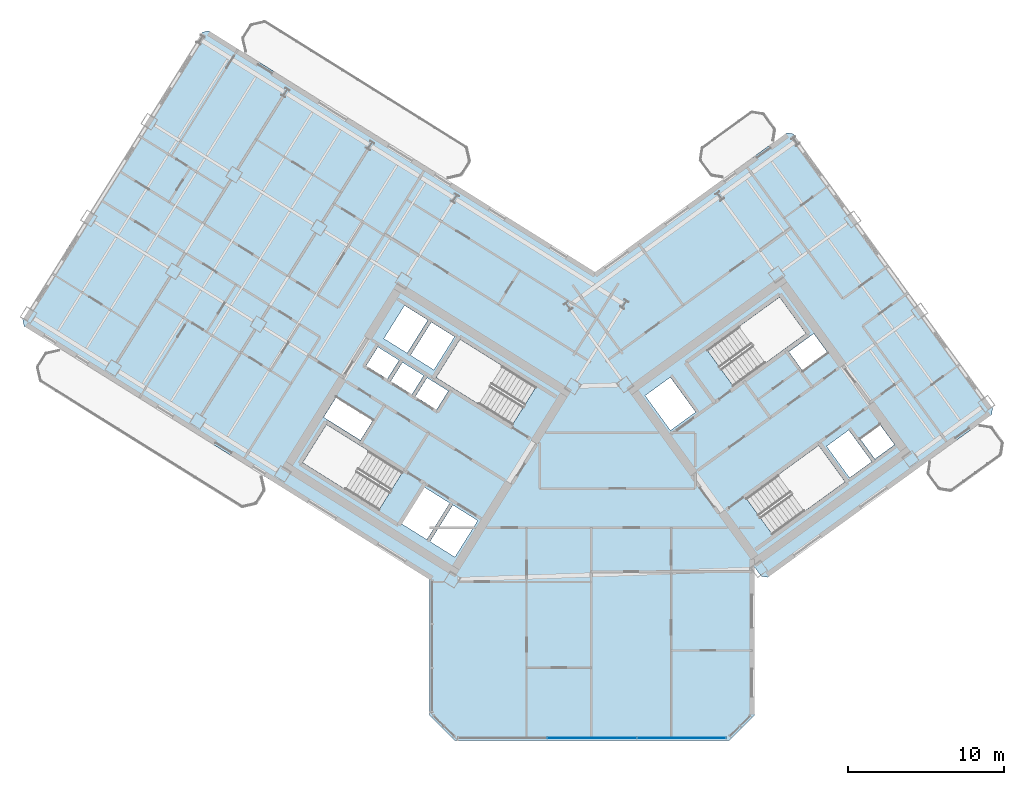
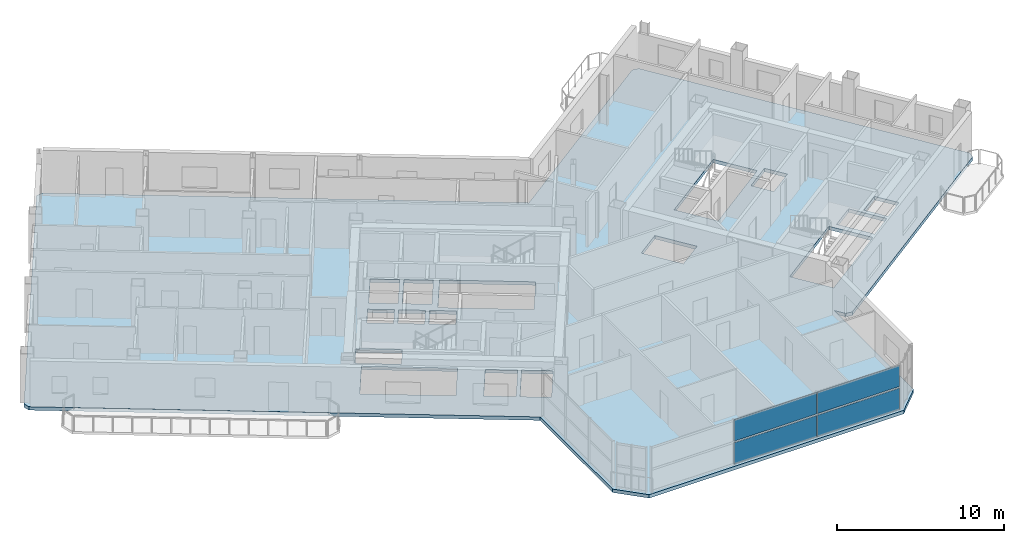
# One storey, part 9 of 20: 4 plates, 1 slab, 1 element without a shape of its own.
"""IFC4 building model written with IfcOpenShell, lengths in metres."""

from ifc_helpers import new_model, si_unit, direction, frame, origin, origin_2d, place, context, subcontext, project, spatial, polyline, rectangle, outline, extrude, source, transform, mapped, material, layer, layer_set, type_object, element, aggregate, save


model = new_model("IFC4")

# Units and contexts
model_context = context("Model", 3, precision=1e-05, world=origin(), true_north=direction((0.0, 1.0)))
body_context = subcontext(model_context, "Body", "Model", "MODEL_VIEW")
ifc_project = project(units=[si_unit("LENGTHUNIT", "METRE"), si_unit("AREAUNIT", "SQUARE_METRE"), si_unit("VOLUMEUNIT", "CUBIC_METRE"), si_unit("PLANEANGLEUNIT", "RADIAN"), si_unit("MASSUNIT", "GRAM", prefix="KILO")], contexts=[model_context])

# Site, building, storey
site_placement = place(None, origin())
site = spatial("IfcSite", under=ifc_project, at=site_placement, CompositionType="ELEMENT")
building_placement = place(site_placement, origin())
building = spatial("IfcBuilding", under=site, at=building_placement, Name="Tlacorven Tower", CompositionType="ELEMENT")
storey_placement = place(building_placement, frame((0.0, 0.0, 187.800048828125)))
storey = spatial("IfcBuildingStorey", under=building, at=storey_placement, Name="L47", CompositionType="ELEMENT", Elevation=187.800048828125)

# Slab
ifc_material_1 = material(Name="Concrete C40/50", Category="concrete")
ifc_layer_1 = layer(ifc_material_1, 0.25)
ifc_layer_set_1 = layer_set([ifc_layer_1], Name="Concrete C40/50")
slab_type = type_object("IfcSlabType", Name="SL-TWR-250", PredefinedType="FLOOR", material=ifc_layer_set_1)
slab_placement = place(storey_placement, frame((0.0, 0.0, -0.25)))
element("IfcSlab", 1, at=slab_placement, inside=storey, type_object=slab_type, Name="L47 Boomerang Tower Floor Slab", PredefinedType="FLOOR", context=body_context, shape_type="SweptSolid", body=[
    extrude(outline(polyline([(52.39990234375, 3.39990234375), (50.800048828125, 1.800048828125), (33.199951171875, 1.800048828125), (31.60009765625, 3.39990234375), (31.60009765625, 12.09423828125), (5.62451171875, 28.32568359375), (5.529052734375, 28.739013671875), (17.0390625, 47.15869140625), (17.452392578125, 47.254150390625), (42.19970703125, 31.790283203125), (54.481689453125, 40.713623046875), (54.90087890625, 40.647216796875), (67.66748046875, 23.075439453125), (67.60107421875, 22.656494140625), (53.265380859375, 12.24072265625), (52.846435546875, 12.30712890625), (52.39990234375, 12.921630859375), (52.39990234375, 3.39990234375)]), holes=[polyline([(29.865478515625, 18.979736328125), (24.9892578125, 22.02685546875), (23.463134765625, 19.58447265625), (28.33935546875, 16.537353515625), (29.865478515625, 18.979736328125)]), polyline([(38.4169921875, 24.4375), (33.540771484375, 27.484375), (32.0146484375, 25.0419921875), (36.890869140625, 21.9951171875), (38.4169921875, 24.4375)]), polyline([(51.05908203125, 24.481689453125), (55.7109375, 27.861572265625), (54.01806640625, 30.19140625), (49.3662109375, 26.811767578125), (51.05908203125, 24.481689453125)]), polyline([(53.56298828125, 14.978759765625), (58.21484375, 18.3583984375), (56.52197265625, 20.6884765625), (51.8701171875, 17.30859375), (53.56298828125, 14.978759765625)]), polyline([(34.682373046875, 15.87548828125), (33.088134765625, 16.871826171875), (31.62548828125, 14.531005859375), (33.2197265625, 13.534912109375), (34.682373046875, 15.87548828125)]), polyline([(32.884521484375, 16.9990234375), (31.2392578125, 18.02685546875), (29.77685546875, 15.686279296875), (31.421875, 14.658203125), (32.884521484375, 16.9990234375)]), polyline([(47.0234375, 21.648681640625), (48.6416015625, 22.82421875), (47.019287109375, 25.05712890625), (45.401123046875, 23.881591796875), (47.0234375, 21.648681640625)]), polyline([(33.197265625, 27.65185546875), (31.704833984375, 28.58447265625), (30.3798828125, 26.46435546875), (31.87255859375, 25.53173828125), (33.197265625, 27.65185546875)]), polyline([(31.484375, 28.722412109375), (29.99169921875, 29.655029296875), (28.6669921875, 27.534912109375), (30.159423828125, 26.602294921875), (31.484375, 28.722412109375)]), polyline([(32.794921875, 24.17724609375), (31.43798828125, 25.025146484375), (30.685546875, 23.82080078125), (32.042236328125, 22.972900390625), (32.794921875, 24.17724609375)]), polyline([(31.217529296875, 25.162841796875), (29.860595703125, 26.0107421875), (29.108154296875, 24.806396484375), (30.465087890625, 23.958740234375), (31.217529296875, 25.162841796875)]), polyline([(29.64013671875, 26.1484375), (28.283203125, 26.996337890625), (27.53076171875, 25.792236328125), (28.8876953125, 24.9443359375), (29.64013671875, 26.1484375)]), polyline([(58.498779296875, 18.614013671875), (59.922607421875, 19.648681640625), (58.453125, 21.671142578125), (57.029296875, 20.63671875), (58.498779296875, 18.614013671875)]), polyline([(27.96142578125, 22.2919921875), (25.603759765625, 23.76513671875), (24.80908203125, 22.4931640625), (27.16650390625, 21.02001953125), (27.96142578125, 22.2919921875)]), polyline([(55.490478515625, 25.4765625), (57.092529296875, 26.640380859375), (56.210693359375, 27.85400390625), (54.60888671875, 26.690185546875), (55.490478515625, 25.4765625)]), polyline([(60.12109375, 19.817626953125), (61.38330078125, 20.734619140625), (60.45458984375, 22.012939453125), (59.192626953125, 21.095947265625), (60.12109375, 19.817626953125)])]), origin(), (0.0, 0.0, 1.0), 0.25),
])

# Curtain wall, plates
ifc_material_2 = material(Name="Dark solar low-E double glazing in aluminium frame", Category="aluminium")
curtain_wall_type = type_object("IfcCurtainWallType", Name="CW-TWR-MID", PredefinedType="USERDEFINED", material=ifc_material_2)
curtain_wall_placement = place(storey_placement, origin())
curtain_wall = element("IfcCurtainWall", 2, at=curtain_wall_placement, inside=storey, type_object=curtain_wall_type, Name="L47 CW-TWR-MID Curtain Wall 217", ObjectType="UNITISED CURTAIN WALL", PredefinedType="USERDEFINED")
ifc_material_3 = material(Name="High-wind dark solar tempered low-E glazing", Category="glass")
ifc_layer_2 = layer(ifc_material_3, 0.028076171875)
ifc_layer_set_2 = layer_set([ifc_layer_2], Name="High-wind dark solar tempered low-E glazing")
plate_type = type_object("IfcPlateType", Name="CWP-03", PredefinedType="CURTAIN_PANEL", material=ifc_layer_set_2)
shared_shape_1 = source(origin(), body_context, "Body", "SweptSolid", [
    extrude(rectangle(XDim=5.67626953125, YDim=0.028076171875, at=origin_2d()), origin(), (0.0, 0.0, 1.0), 1.552978515625),
])
plate_1_placement = place(storey_placement, frame((47.739501953125, 1.9599609375, 0.06103515625), z_axis=(0.0, 0.0, 1.0), x_axis=(-1.0, 0.0, 0.0)))
plate_1 = element("IfcPlate", 3, at=plate_1_placement, type_object=plate_type, Name="CW-L47-217 Glazing Panel 1", PredefinedType="CURTAIN_PANEL", context=body_context, shape_type="MappedRepresentation", body=[
    mapped(shared_shape_1, transform((0.0, 0.0, 0.0), scale=1.0)),
])
plate_2_placement = place(storey_placement, frame((47.739501953125, 1.9599609375, 1.73583984375), z_axis=(0.0, 0.0, 1.0), x_axis=(-1.0, 0.0, 0.0)))
plate_2 = element("IfcPlate", 4, at=plate_2_placement, type_object=plate_type, Name="CW-L47-217 Glazing Panel 2", PredefinedType="CURTAIN_PANEL", context=body_context, shape_type="MappedRepresentation", body=[
    mapped(shared_shape_1, transform((0.0, 0.0, 0.0), scale=1.0)),
])
shared_shape_2 = source(origin(), body_context, "Body", "SweptSolid", [
    extrude(rectangle(XDim=5.708740234375, YDim=0.028076171875, at=origin_2d()), origin(), (0.0, 0.0, 1.0), 1.552978515625),
])
plate_3_placement = place(storey_placement, frame((42.0, 1.9599609375, 0.06103515625), z_axis=(0.0, 0.0, 1.0), x_axis=(-1.0, 0.0, 0.0)))
plate_3 = element("IfcPlate", 5, at=plate_3_placement, type_object=plate_type, Name="CW-L47-217 Glazing Panel 3", PredefinedType="CURTAIN_PANEL", context=body_context, shape_type="MappedRepresentation", body=[
    mapped(shared_shape_2, transform((0.0, 0.0, 0.0), scale=1.0)),
])
plate_4_placement = place(storey_placement, frame((42.0, 1.9599609375, 1.73583984375), z_axis=(0.0, 0.0, 1.0), x_axis=(-1.0, 0.0, 0.0)))
plate_4 = element("IfcPlate", 6, at=plate_4_placement, type_object=plate_type, Name="CW-L47-217 Glazing Panel 4", PredefinedType="CURTAIN_PANEL", context=body_context, shape_type="MappedRepresentation", body=[
    mapped(shared_shape_2, transform((0.0, 0.0, 0.0), scale=1.0)),
])
aggregate(curtain_wall, [plate_1, plate_2, plate_3, plate_4])

save(model, "model.ifc")
